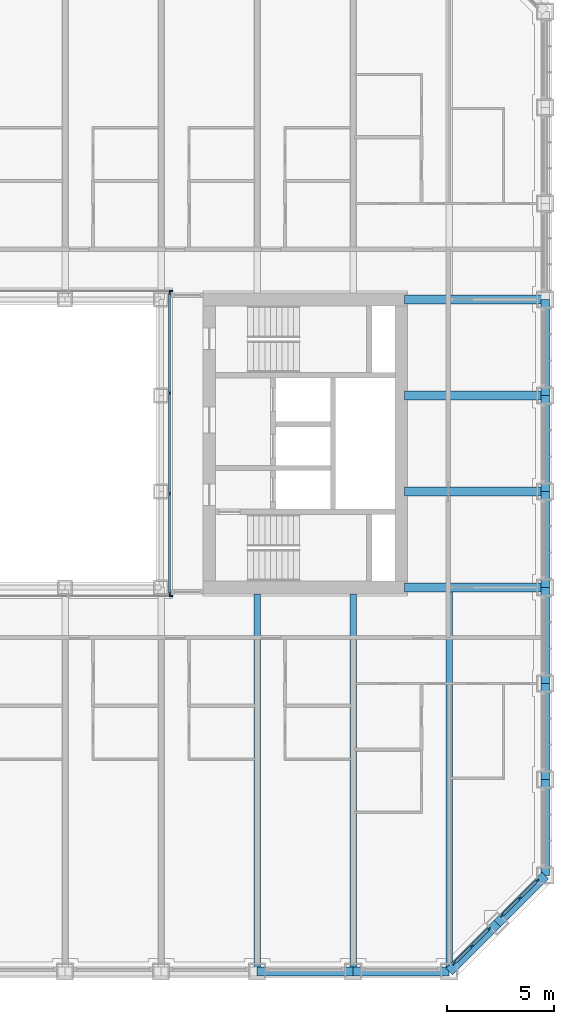
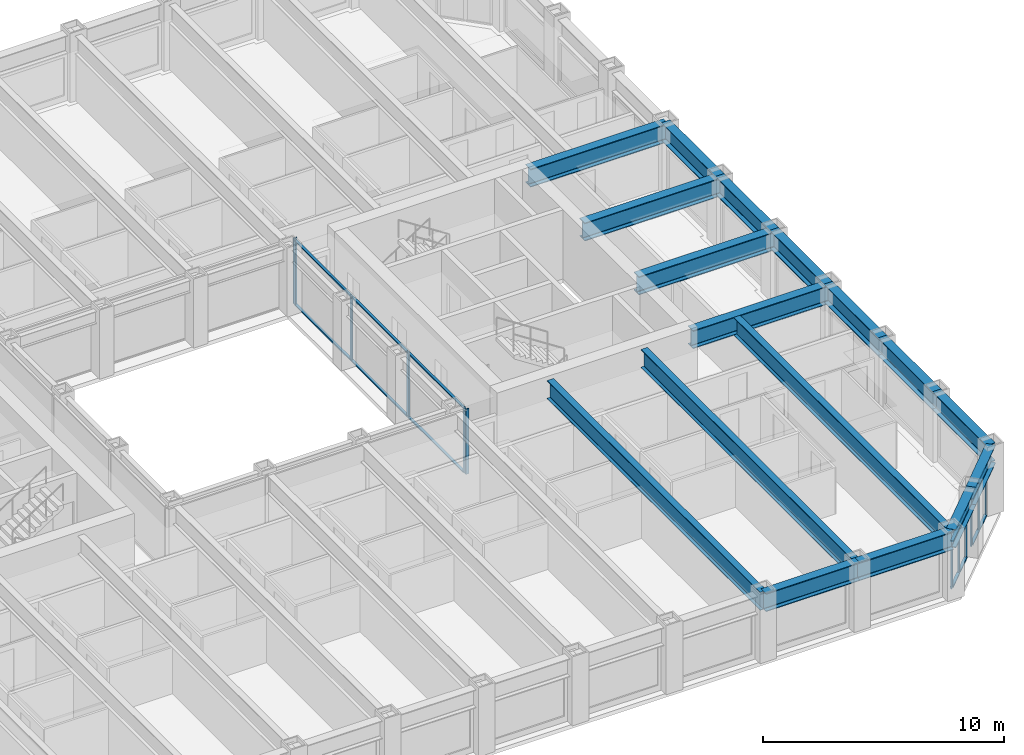
# One storey, part 5 of 21: 26 members, 17 beams, 5 elements without a shape of their own.
"""IFC4 building model written with IfcOpenShell, lengths in metres."""

from ifc_helpers import new_model, si_unit, direction, frame, origin, origin_2d, place, context, subcontext, project, spatial, rectangle, i_section, extrude, material, material_profile, profile_set, type_object, element, aggregate, save


model = new_model("IFC4")

# Units and contexts
model_context = context("Model", 3, precision=1e-05, world=origin(), true_north=direction((0.0, 1.0)))
body_context = subcontext(model_context, "Body", "Model", "MODEL_VIEW")
ifc_project = project(units=[si_unit("LENGTHUNIT", "METRE"), si_unit("AREAUNIT", "SQUARE_METRE"), si_unit("VOLUMEUNIT", "CUBIC_METRE"), si_unit("PLANEANGLEUNIT", "RADIAN"), si_unit("MASSUNIT", "GRAM", prefix="KILO")], contexts=[model_context])

# Site, building, storey
site_placement = place(None, origin())
site = spatial("IfcSite", under=ifc_project, at=site_placement, CompositionType="ELEMENT")
building_placement = place(site_placement, origin())
building = spatial("IfcBuilding", under=site, at=building_placement, Name="Msasa Ring Tower", CompositionType="ELEMENT")
storey_placement = place(building_placement, frame((0.0, 0.0, 33.5)))
storey = spatial("IfcBuildingStorey", under=building, at=storey_placement, Name="L07", CompositionType="ELEMENT", Elevation=33.5)

# Curtain wall, members
ifc_material_1 = material(Name="Aluminium curtain wall with clear glass", Category="aluminium")
curtain_wall_type_1 = type_object("IfcCurtainWallType", Name="CW-C CHAMFER CORNER CURTAIN WALL", PredefinedType="NOTDEFINED", material=ifc_material_1)
curtain_wall_1_placement = place(storey_placement, origin())
curtain_wall_1 = element("IfcCurtainWall", 1, at=curtain_wall_1_placement, inside=storey, type_object=curtain_wall_type_1, Name="Chamfer corner curtain wall SE L07", PredefinedType="NOTDEFINED")
ifc_material_2 = material(Name="Aluminium mullion", Category="aluminium")
ifc_material_profile_1 = material_profile(ifc_material_2, rectangle(XDim=0.06494140625, YDim=0.179931640625, at=origin_2d()), Name="AL 65x180")
ifc_profile_set_1 = profile_set([ifc_material_profile_1], Name="Aluminium mullion")
member_type_1 = type_object("IfcMemberType", Name="CW-C MULLION 65x180", PredefinedType="MULLION", material=ifc_profile_set_1)
member_1_placement = place(storey_placement, frame((20.48876953125, -24.369873046875, 0.0), z_axis=(0.0, 0.0, 1.0), x_axis=(-0.707106781187, 0.707106781187, 0.0)))
member_1 = element("IfcMember", 2, at=member_1_placement, type_object=member_type_1, Name="CW-C mullion 1", PredefinedType="MULLION", context=body_context, shape_type="SweptSolid", body=[
    extrude(rectangle(XDim=0.06494140625, YDim=0.179931640625, at=origin_2d()), origin(), (0.0, 0.0, 1.0), 2.37890625),
])
member_2_placement = place(storey_placement, frame((21.30419921875, -23.55419921875, 0.0), z_axis=(0.0, 0.0, 1.0), x_axis=(-0.707106781187, 0.707106781187, 0.0)))
member_2 = element("IfcMember", 3, at=member_2_placement, type_object=member_type_1, Name="CW-C mullion 2", PredefinedType="MULLION", context=body_context, shape_type="SweptSolid", body=[
    extrude(rectangle(XDim=0.06494140625, YDim=0.179931640625, at=origin_2d()), origin(), (0.0, 0.0, 1.0), 2.37890625),
])
member_3_placement = place(storey_placement, frame((22.119873046875, -22.73876953125, 0.0), z_axis=(0.0, 0.0, 1.0), x_axis=(-0.707106781187, 0.707106781187, 0.0)))
member_3 = element("IfcMember", 4, at=member_3_placement, type_object=member_type_1, Name="CW-C mullion 3", PredefinedType="MULLION", context=body_context, shape_type="SweptSolid", body=[
    extrude(rectangle(XDim=0.06494140625, YDim=0.179931640625, at=origin_2d()), origin(), (0.0, 0.0, 1.0), 2.37890625),
])

curtain_wall_2_placement = place(storey_placement, origin())
curtain_wall_2 = element("IfcCurtainWall", 5, at=curtain_wall_2_placement, inside=storey, type_object=curtain_wall_type_1, Name="Chamfer corner curtain wall SE L07", PredefinedType="NOTDEFINED")
member_4_placement = place(storey_placement, frame((22.73876953125, -22.119873046875, 0.0), z_axis=(0.0, 0.0, 1.0), x_axis=(-0.707106781187, 0.707106781187, 0.0)))
member_4 = element("IfcMember", 6, at=member_4_placement, type_object=member_type_1, Name="CW-C mullion 1", PredefinedType="MULLION", context=body_context, shape_type="SweptSolid", body=[
    extrude(rectangle(XDim=0.06494140625, YDim=0.179931640625, at=origin_2d()), origin(), (0.0, 0.0, 1.0), 2.37890625),
])
member_5_placement = place(storey_placement, frame((23.55419921875, -21.30419921875, 0.0), z_axis=(0.0, 0.0, 1.0), x_axis=(-0.707106781187, 0.707106781187, 0.0)))
member_5 = element("IfcMember", 7, at=member_5_placement, type_object=member_type_1, Name="CW-C mullion 2", PredefinedType="MULLION", context=body_context, shape_type="SweptSolid", body=[
    extrude(rectangle(XDim=0.06494140625, YDim=0.179931640625, at=origin_2d()), origin(), (0.0, 0.0, 1.0), 2.37890625),
])
member_6_placement = place(storey_placement, frame((24.369873046875, -20.48876953125, 0.0), z_axis=(0.0, 0.0, 1.0), x_axis=(-0.707106781187, 0.707106781187, 0.0)))
member_6 = element("IfcMember", 8, at=member_6_placement, type_object=member_type_1, Name="CW-C mullion 3", PredefinedType="MULLION", context=body_context, shape_type="SweptSolid", body=[
    extrude(rectangle(XDim=0.06494140625, YDim=0.179931640625, at=origin_2d()), origin(), (0.0, 0.0, 1.0), 2.37890625),
])

# Member
ifc_material_3 = material(Name="Aluminium transom", Category="aluminium")
ifc_material_profile_2 = material_profile(ifc_material_3, rectangle(XDim=0.139892578125, YDim=0.06494140625, at=origin_2d()), Name="AL 65x140")
ifc_profile_set_2 = profile_set([ifc_material_profile_2], Name="Aluminium transom")
member_type_2 = type_object("IfcMemberType", Name="CW-C TRANSOM 65x140", PredefinedType="USERDEFINED", material=ifc_profile_set_2)
member_7_placement = place(storey_placement, frame((20.51171875, -24.346923828125, 0.032470703125), z_axis=(0.707106781187, 0.707106781187, 0.0), x_axis=(-0.707106781187, 0.707106781187, 0.0)))
member_7 = element("IfcMember", 9, at=member_7_placement, type_object=member_type_2, Name="CW-C transom 1.1", ObjectType="TRANSOM", PredefinedType="USERDEFINED", context=body_context, shape_type="SweptSolid", body=[
    extrude(rectangle(XDim=0.139892578125, YDim=0.06494140625, at=origin_2d()), origin(), (0.0, 0.0, 1.0), 1.08837890625),
])

member_8_placement = place(storey_placement, frame((20.51171875, -24.346923828125, 2.346435546875), z_axis=(0.707106781187, 0.707106781187, 0.0), x_axis=(-0.707106781187, 0.707106781187, 0.0)))
member_8 = element("IfcMember", 10, at=member_8_placement, type_object=member_type_2, Name="CW-C transom 1.2", ObjectType="TRANSOM", PredefinedType="USERDEFINED", context=body_context, shape_type="SweptSolid", body=[
    extrude(rectangle(XDim=0.139892578125, YDim=0.06494140625, at=origin_2d()), origin(), (0.0, 0.0, 1.0), 1.08837890625),
])

member_9_placement = place(storey_placement, frame((21.327392578125, -23.53125, 0.032470703125), z_axis=(0.707106781187, 0.707106781187, 0.0), x_axis=(-0.707106781187, 0.707106781187, 0.0)))
member_9 = element("IfcMember", 11, at=member_9_placement, type_object=member_type_2, Name="CW-C transom 2.1", ObjectType="TRANSOM", PredefinedType="USERDEFINED", context=body_context, shape_type="SweptSolid", body=[
    extrude(rectangle(XDim=0.139892578125, YDim=0.06494140625, at=origin_2d()), origin(), (0.0, 0.0, 1.0), 1.08837890625),
])

member_10_placement = place(storey_placement, frame((21.327392578125, -23.53125, 2.346435546875), z_axis=(0.707106781187, 0.707106781187, 0.0), x_axis=(-0.707106781187, 0.707106781187, 0.0)))
member_10 = element("IfcMember", 12, at=member_10_placement, type_object=member_type_2, Name="CW-C transom 2.2", ObjectType="TRANSOM", PredefinedType="USERDEFINED", context=body_context, shape_type="SweptSolid", body=[
    extrude(rectangle(XDim=0.139892578125, YDim=0.06494140625, at=origin_2d()), origin(), (0.0, 0.0, 1.0), 1.08837890625),
])

aggregate(curtain_wall_1, [member_1, member_2, member_3, member_7, member_8, member_9, member_10])

member_11_placement = place(storey_placement, frame((22.76171875, -22.096923828125, 0.032470703125), z_axis=(0.707106781187, 0.707106781187, 0.0), x_axis=(-0.707106781187, 0.707106781187, 0.0)))
member_11 = element("IfcMember", 13, at=member_11_placement, type_object=member_type_2, Name="CW-C transom 1.1", ObjectType="TRANSOM", PredefinedType="USERDEFINED", context=body_context, shape_type="SweptSolid", body=[
    extrude(rectangle(XDim=0.139892578125, YDim=0.06494140625, at=origin_2d()), origin(), (0.0, 0.0, 1.0), 1.08837890625),
])

member_12_placement = place(storey_placement, frame((22.76171875, -22.096923828125, 2.346435546875), z_axis=(0.707106781187, 0.707106781187, 0.0), x_axis=(-0.707106781187, 0.707106781187, 0.0)))
member_12 = element("IfcMember", 14, at=member_12_placement, type_object=member_type_2, Name="CW-C transom 1.2", ObjectType="TRANSOM", PredefinedType="USERDEFINED", context=body_context, shape_type="SweptSolid", body=[
    extrude(rectangle(XDim=0.139892578125, YDim=0.06494140625, at=origin_2d()), origin(), (0.0, 0.0, 1.0), 1.08837890625),
])

member_13_placement = place(storey_placement, frame((23.577392578125, -21.28125, 0.032470703125), z_axis=(0.707106781187, 0.707106781187, 0.0), x_axis=(-0.707106781187, 0.707106781187, 0.0)))
member_13 = element("IfcMember", 15, at=member_13_placement, type_object=member_type_2, Name="CW-C transom 2.1", ObjectType="TRANSOM", PredefinedType="USERDEFINED", context=body_context, shape_type="SweptSolid", body=[
    extrude(rectangle(XDim=0.139892578125, YDim=0.06494140625, at=origin_2d()), origin(), (0.0, 0.0, 1.0), 1.08837890625),
])

member_14_placement = place(storey_placement, frame((23.577392578125, -21.28125, 2.346435546875), z_axis=(0.707106781187, 0.707106781187, 0.0), x_axis=(-0.707106781187, 0.707106781187, 0.0)))
member_14 = element("IfcMember", 16, at=member_14_placement, type_object=member_type_2, Name="CW-C transom 2.2", ObjectType="TRANSOM", PredefinedType="USERDEFINED", context=body_context, shape_type="SweptSolid", body=[
    extrude(rectangle(XDim=0.139892578125, YDim=0.06494140625, at=origin_2d()), origin(), (0.0, 0.0, 1.0), 1.08837890625),
])

aggregate(curtain_wall_2, [member_4, member_5, member_6, member_11, member_12, member_13, member_14])

# Curtain wall, member
ifc_material_4 = material(Name="Aluminium curtain wall with clear glass", Category="aluminium")
curtain_wall_type_2 = type_object("IfcCurtainWallType", Name="CW-W LIGHT WELL CURTAIN WALL", PredefinedType="NOTDEFINED", material=ifc_material_4)
curtain_wall_3_placement = place(storey_placement, origin())
curtain_wall_3 = element("IfcCurtainWall", 17, at=curtain_wall_3_placement, inside=storey, type_object=curtain_wall_type_2, Name="Light well curtain wall N L07", PredefinedType="NOTDEFINED")
ifc_material_5 = material(Name="Aluminium mullion", Category="aluminium")
ifc_material_profile_3 = material_profile(ifc_material_5, rectangle(XDim=0.06005859375, YDim=0.159912109375, at=origin_2d()), Name="AL 60x160")
ifc_profile_set_3 = profile_set([ifc_material_profile_3], Name="Aluminium mullion")
member_type_3 = type_object("IfcMemberType", Name="CW-W MULLION 60x160", PredefinedType="MULLION", material=ifc_profile_set_3)
member_15_placement = place(storey_placement, frame((7.199951171875, 7.14990234375, 0.0), z_axis=(0.0, 0.0, 1.0), x_axis=(0.0, 1.0, 0.0)))
member_15 = element("IfcMember", 18, at=member_15_placement, type_object=member_type_3, Name="CW-W mullion 4", PredefinedType="MULLION", context=body_context, shape_type="SweptSolid", body=[
    extrude(rectangle(XDim=0.06005859375, YDim=0.159912109375, at=origin_2d()), origin(), (0.0, 0.0, 1.0), 3.300048828125),
])
aggregate(curtain_wall_3, [member_15])

curtain_wall_4_placement = place(storey_placement, origin())
curtain_wall_4 = element("IfcCurtainWall", 19, at=curtain_wall_4_placement, inside=storey, type_object=curtain_wall_type_2, Name="Light well curtain wall S L07", PredefinedType="NOTDEFINED")
member_16_placement = place(storey_placement, frame((7.199951171875, -7.14990234375, 0.0), z_axis=(0.0, 0.0, 1.0), x_axis=(0.0, 1.0, 0.0)))
member_16 = element("IfcMember", 20, at=member_16_placement, type_object=member_type_3, Name="CW-W mullion 4", PredefinedType="MULLION", context=body_context, shape_type="SweptSolid", body=[
    extrude(rectangle(XDim=0.06005859375, YDim=0.159912109375, at=origin_2d()), origin(), (0.0, 0.0, 1.0), 3.300048828125),
])
aggregate(curtain_wall_4, [member_16])

# Curtain wall, members
curtain_wall_5_placement = place(storey_placement, origin())
curtain_wall_5 = element("IfcCurtainWall", 21, at=curtain_wall_5_placement, inside=storey, type_object=curtain_wall_type_2, Name="Light well curtain wall E L07", PredefinedType="NOTDEFINED")
member_17_placement = place(storey_placement, frame((7.14990234375, -7.0400390625, 0.0), z_axis=(0.0, 0.0, 1.0), x_axis=(-1.0, 0.0, 0.0)))
member_17 = element("IfcMember", 22, at=member_17_placement, type_object=member_type_3, Name="CW-W mullion 1", PredefinedType="MULLION", context=body_context, shape_type="SweptSolid", body=[
    extrude(rectangle(XDim=0.06005859375, YDim=0.159912109375, at=origin_2d()), origin(), (0.0, 0.0, 1.0), 3.300048828125),
])
member_18_placement = place(storey_placement, frame((7.14990234375, -2.356689453125, 0.0), z_axis=(0.0, 0.0, 1.0), x_axis=(-1.0, 0.0, 0.0)))
member_18 = element("IfcMember", 23, at=member_18_placement, type_object=member_type_3, Name="CW-W mullion 2", PredefinedType="MULLION", context=body_context, shape_type="SweptSolid", body=[
    extrude(rectangle(XDim=0.06005859375, YDim=0.159912109375, at=origin_2d()), origin(), (0.0, 0.0, 1.0), 3.300048828125),
])
member_19_placement = place(storey_placement, frame((7.14990234375, 2.356689453125, 0.0), z_axis=(0.0, 0.0, 1.0), x_axis=(-1.0, 0.0, 0.0)))
member_19 = element("IfcMember", 24, at=member_19_placement, type_object=member_type_3, Name="CW-W mullion 3", PredefinedType="MULLION", context=body_context, shape_type="SweptSolid", body=[
    extrude(rectangle(XDim=0.06005859375, YDim=0.159912109375, at=origin_2d()), origin(), (0.0, 0.0, 1.0), 3.300048828125),
])
member_20_placement = place(storey_placement, frame((7.14990234375, 7.0400390625, 0.0), z_axis=(0.0, 0.0, 1.0), x_axis=(-1.0, 0.0, 0.0)))
member_20 = element("IfcMember", 25, at=member_20_placement, type_object=member_type_3, Name="CW-W mullion 4", PredefinedType="MULLION", context=body_context, shape_type="SweptSolid", body=[
    extrude(rectangle(XDim=0.06005859375, YDim=0.159912109375, at=origin_2d()), origin(), (0.0, 0.0, 1.0), 3.300048828125),
])
ifc_material_6 = material(Name="Aluminium transom", Category="aluminium")
ifc_material_profile_4 = material_profile(ifc_material_6, rectangle(XDim=0.1201171875, YDim=0.06005859375, at=origin_2d()), Name="AL 60x120")
ifc_profile_set_4 = profile_set([ifc_material_profile_4], Name="Aluminium transom")
member_type_4 = type_object("IfcMemberType", Name="CW-W TRANSOM 60x120", PredefinedType="USERDEFINED", material=ifc_profile_set_4)
member_21_placement = place(storey_placement, frame((7.14990234375, -7.010009765625, 0.030029296875), z_axis=(0.0, 1.0, 0.0), x_axis=(-1.0, 0.0, 0.0)))
member_21 = element("IfcMember", 26, at=member_21_placement, type_object=member_type_4, Name="CW-W transom 1.1", ObjectType="TRANSOM", PredefinedType="USERDEFINED", context=body_context, shape_type="SweptSolid", body=[
    extrude(rectangle(XDim=0.1201171875, YDim=0.06005859375, at=origin_2d()), origin(), (0.0, 0.0, 1.0), 4.623291015625),
])
member_22_placement = place(storey_placement, frame((7.14990234375, -7.010009765625, 3.27001953125), z_axis=(0.0, 1.0, 0.0), x_axis=(-1.0, 0.0, 0.0)))
member_22 = element("IfcMember", 27, at=member_22_placement, type_object=member_type_4, Name="CW-W transom 1.2", ObjectType="TRANSOM", PredefinedType="USERDEFINED", context=body_context, shape_type="SweptSolid", body=[
    extrude(rectangle(XDim=0.1201171875, YDim=0.06005859375, at=origin_2d()), origin(), (0.0, 0.0, 1.0), 4.623291015625),
])
member_23_placement = place(storey_placement, frame((7.14990234375, -2.32666015625, 0.030029296875), z_axis=(0.0, 1.0, 0.0), x_axis=(-1.0, 0.0, 0.0)))
member_23 = element("IfcMember", 28, at=member_23_placement, type_object=member_type_4, Name="CW-W transom 2.1", ObjectType="TRANSOM", PredefinedType="USERDEFINED", context=body_context, shape_type="SweptSolid", body=[
    extrude(rectangle(XDim=0.1201171875, YDim=0.06005859375, at=origin_2d()), origin(), (0.0, 0.0, 1.0), 4.6533203125),
])
member_24_placement = place(storey_placement, frame((7.14990234375, -2.32666015625, 3.27001953125), z_axis=(0.0, 1.0, 0.0), x_axis=(-1.0, 0.0, 0.0)))
member_24 = element("IfcMember", 29, at=member_24_placement, type_object=member_type_4, Name="CW-W transom 2.2", ObjectType="TRANSOM", PredefinedType="USERDEFINED", context=body_context, shape_type="SweptSolid", body=[
    extrude(rectangle(XDim=0.1201171875, YDim=0.06005859375, at=origin_2d()), origin(), (0.0, 0.0, 1.0), 4.6533203125),
])
member_25_placement = place(storey_placement, frame((7.14990234375, 2.38671875, 0.030029296875), z_axis=(0.0, 1.0, 0.0), x_axis=(-1.0, 0.0, 0.0)))
member_25 = element("IfcMember", 30, at=member_25_placement, type_object=member_type_4, Name="CW-W transom 3.1", ObjectType="TRANSOM", PredefinedType="USERDEFINED", context=body_context, shape_type="SweptSolid", body=[
    extrude(rectangle(XDim=0.1201171875, YDim=0.06005859375, at=origin_2d()), origin(), (0.0, 0.0, 1.0), 4.623291015625),
])
member_26_placement = place(storey_placement, frame((7.14990234375, 2.38671875, 3.27001953125), z_axis=(0.0, 1.0, 0.0), x_axis=(-1.0, 0.0, 0.0)))
member_26 = element("IfcMember", 31, at=member_26_placement, type_object=member_type_4, Name="CW-W transom 3.2", ObjectType="TRANSOM", PredefinedType="USERDEFINED", context=body_context, shape_type="SweptSolid", body=[
    extrude(rectangle(XDim=0.1201171875, YDim=0.06005859375, at=origin_2d()), origin(), (0.0, 0.0, 1.0), 4.623291015625),
])
aggregate(curtain_wall_5, [member_17, member_18, member_19, member_20, member_21, member_22, member_23, member_24, member_25, member_26])

# Beams
ifc_material_7 = material(Name="Steel S355", Category="steel")
ifc_material_profile_5 = material_profile(ifc_material_7, i_section(OverallWidth=0.42041015625, OverallDepth=0.9208984375, WebThickness=0.021484375, FlangeThickness=0.03662109375, FilletRadius=0.024169921875, at=origin_2d()), Name="UB 914x419x388")
ifc_profile_set_5 = profile_set([ifc_material_profile_5], Name="Steel S355")
beam_type_1 = type_object("IfcBeamType", Name="FB2 UB 914x419x388", PredefinedType="BEAM", material=ifc_profile_set_5)
for number, where, z_axis, x_axis, name in (
    (32, (24.75, -2.25, 2.839599609375), (-1.0, 0.0, 0.0), (0.0, -1.0, 0.0), "Floor beam E -2.25 under L08"),
    (33, (24.75, 2.25, 2.839599609375), (-1.0, 0.0, 0.0), (0.0, -1.0, 0.0), "Floor beam E +2.25 under L08"),
):
    element("IfcBeam", number, at=place(storey_placement, frame(where, z_axis=z_axis, x_axis=x_axis)), inside=storey, type_object=beam_type_1, Name=name, PredefinedType="BEAM", context=body_context, shape_type="SweptSolid", body=[
        extrude(i_section(OverallWidth=0.42041015625, OverallDepth=0.9208984375, WebThickness=0.021484375, FlangeThickness=0.03662109375, FilletRadius=0.024169921875, at=origin_2d()), origin(), (0.0, 0.0, 1.0), 6.60009765625),
    ])
ifc_material_8 = material(Name="Steel S355", Category="steel")
ifc_material_profile_6 = material_profile(ifc_material_8, i_section(OverallWidth=0.3076171875, OverallDepth=0.926513671875, WebThickness=0.01953125, FlangeThickness=0.031982421875, FilletRadius=0.01904296875, at=origin_2d()), Name="UB 914x305x289")
ifc_profile_set_6 = profile_set([ifc_material_profile_6], Name="Steel S355")
beam_type_2 = type_object("IfcBeamType", Name="FB3 UB 914x305x289", PredefinedType="BEAM", material=ifc_profile_set_6)
for number, where, z_axis, x_axis, name in (
    (34, (11.25, -24.75, 2.836669921875), (0.0, 1.0, 0.0), (-1.0, 0.0, 0.0), "Floor beam S+11.25 under L08"),
    (35, (15.75, -24.75, 2.836669921875), (0.0, 1.0, 0.0), (-1.0, 0.0, 0.0), "Floor beam S+15.75 under L08"),
):
    element("IfcBeam", number, at=place(storey_placement, frame(where, z_axis=z_axis, x_axis=x_axis)), inside=storey, type_object=beam_type_2, Name=name, PredefinedType="BEAM", context=body_context, shape_type="SweptSolid", body=[
        extrude(i_section(OverallWidth=0.3076171875, OverallDepth=0.926513671875, WebThickness=0.01953125, FlangeThickness=0.031982421875, FilletRadius=0.01904296875, at=origin_2d()), origin(), (0.0, 0.0, 1.0), 17.699951171875),
    ])
beam_placement = place(storey_placement, frame((20.25, -24.75, 2.836669921875), z_axis=(0.0, 1.0, 0.0), x_axis=(-1.0, 0.0, 0.0)))
element("IfcBeam", 36, at=beam_placement, inside=storey, type_object=beam_type_2, Name="Floor beam S+20.25 under L08", PredefinedType="BEAM", context=body_context, shape_type="SweptSolid", body=[
    extrude(i_section(OverallWidth=0.3076171875, OverallDepth=0.926513671875, WebThickness=0.01953125, FlangeThickness=0.031982421875, FilletRadius=0.01904296875, at=origin_2d()), origin(), (0.0, 0.0, 1.0), 17.789794921875),
])
ifc_material_9 = material(Name="Steel S355", Category="steel")
ifc_material_profile_7 = material_profile(ifc_material_9, i_section(OverallWidth=0.42041015625, OverallDepth=0.9208984375, WebThickness=0.021484375, FlangeThickness=0.03662109375, FilletRadius=0.024169921875, at=origin_2d()), Name="UB 914x419x388")
ifc_profile_set_7 = profile_set([ifc_material_profile_7], Name="Steel S355")
beam_type_3 = type_object("IfcBeamType", Name="GB1 UB 914x419x388", PredefinedType="BEAM", material=ifc_profile_set_7)
for number, where, z_axis, x_axis, name in (
    (37, (18.14990234375, 6.75, 2.839599609375), (1.0, 0.0, 0.0), (0.0, 1.0, 0.0), "Girder E +6.75 under L08"),
    (38, (18.14990234375, -6.75, 2.839599609375), (1.0, 0.0, 0.0), (0.0, 1.0, 0.0), "Girder E -6.75 under L08"),
):
    element("IfcBeam", number, at=place(storey_placement, frame(where, z_axis=z_axis, x_axis=x_axis)), inside=storey, type_object=beam_type_3, Name=name, PredefinedType="BEAM", context=body_context, shape_type="SweptSolid", body=[
        extrude(i_section(OverallWidth=0.42041015625, OverallDepth=0.9208984375, WebThickness=0.021484375, FlangeThickness=0.03662109375, FilletRadius=0.024169921875, at=origin_2d()), origin(), (0.0, 0.0, 1.0), 6.60009765625),
    ])
ifc_material_10 = material(Name="Steel S355", Category="steel")
ifc_material_profile_8 = material_profile(ifc_material_10, i_section(OverallWidth=0.42041015625, OverallDepth=0.9208984375, WebThickness=0.021484375, FlangeThickness=0.03662109375, FilletRadius=0.024169921875, at=origin_2d()), Name="UB 914x419x388")
ifc_profile_set_8 = profile_set([ifc_material_profile_8], Name="Steel S355")
beam_type_4 = type_object("IfcBeamType", Name="SB1 UB 914x419x388", PredefinedType="SPANDREL", material=ifc_profile_set_8)
for number, where, z_axis, x_axis, name in (
    (39, (11.25, -24.75, 2.839599609375), (1.0, 0.0, 0.0), (0.0, 1.0, 0.0), "Spandrel S+11.25 to S+15.75 under L08"),
    (40, (15.75, -24.75, 2.839599609375), (1.0, 0.0, 0.0), (0.0, 1.0, 0.0), "Spandrel S+15.75 to S+20.25 under L08"),
):
    element("IfcBeam", number, at=place(storey_placement, frame(where, z_axis=z_axis, x_axis=x_axis)), inside=storey, type_object=beam_type_4, Name=name, PredefinedType="SPANDREL", context=body_context, shape_type="SweptSolid", body=[
        extrude(i_section(OverallWidth=0.42041015625, OverallDepth=0.9208984375, WebThickness=0.021484375, FlangeThickness=0.03662109375, FilletRadius=0.024169921875, at=origin_2d()), origin(), (0.0, 0.0, 1.0), 4.5),
    ])
for number, where, z_axis, x_axis, name in (
    (41, (20.25, -24.75, 2.839599609375), (0.707106781187, 0.707106781187, 0.0), (-0.707106781187, 0.707106781187, 0.0), "Spandrel S+20.25 to SE under L08"),
    (42, (22.5, -22.5, 2.839599609375), (0.707106781187, 0.707106781187, 0.0), (-0.707106781187, 0.707106781187, 0.0), "Spandrel SE to E-20.25 under L08"),
):
    element("IfcBeam", number, at=place(storey_placement, frame(where, z_axis=z_axis, x_axis=x_axis)), inside=storey, type_object=beam_type_4, Name=name, PredefinedType="SPANDREL", context=body_context, shape_type="SweptSolid", body=[
        extrude(i_section(OverallWidth=0.42041015625, OverallDepth=0.9208984375, WebThickness=0.021484375, FlangeThickness=0.03662109375, FilletRadius=0.024169921875, at=origin_2d()), origin(), (0.0, 0.0, 1.0), 3.181884765625),
    ])
for number, where, z_axis, x_axis, name in (
    (43, (24.75, -20.25, 2.839599609375), (0.0, 1.0, 0.0), (-1.0, 0.0, 0.0), "Spandrel E-20.25 to E-15.75 under L08"),
    (44, (24.75, -15.75, 2.839599609375), (0.0, 1.0, 0.0), (-1.0, 0.0, 0.0), "Spandrel E-15.75 to E-11.25 under L08"),
    (45, (24.75, -11.25, 2.839599609375), (0.0, 1.0, 0.0), (-1.0, 0.0, 0.0), "Spandrel E-11.25 to E-6.75 under L08"),
    (46, (24.75, -6.75, 2.839599609375), (0.0, 1.0, 0.0), (-1.0, 0.0, 0.0), "Spandrel E-6.75 to E-2.25 under L08"),
    (47, (24.75, -2.25, 2.839599609375), (0.0, 1.0, 0.0), (-1.0, 0.0, 0.0), "Spandrel E-2.25 to E+2.25 under L08"),
    (48, (24.75, 2.25, 2.839599609375), (0.0, 1.0, 0.0), (-1.0, 0.0, 0.0), "Spandrel E+2.25 to E+6.75 under L08"),
):
    element("IfcBeam", number, at=place(storey_placement, frame(where, z_axis=z_axis, x_axis=x_axis)), inside=storey, type_object=beam_type_4, Name=name, PredefinedType="SPANDREL", context=body_context, shape_type="SweptSolid", body=[
        extrude(i_section(OverallWidth=0.42041015625, OverallDepth=0.9208984375, WebThickness=0.021484375, FlangeThickness=0.03662109375, FilletRadius=0.024169921875, at=origin_2d()), origin(), (0.0, 0.0, 1.0), 4.5),
    ])

save(model, "model.ifc")
